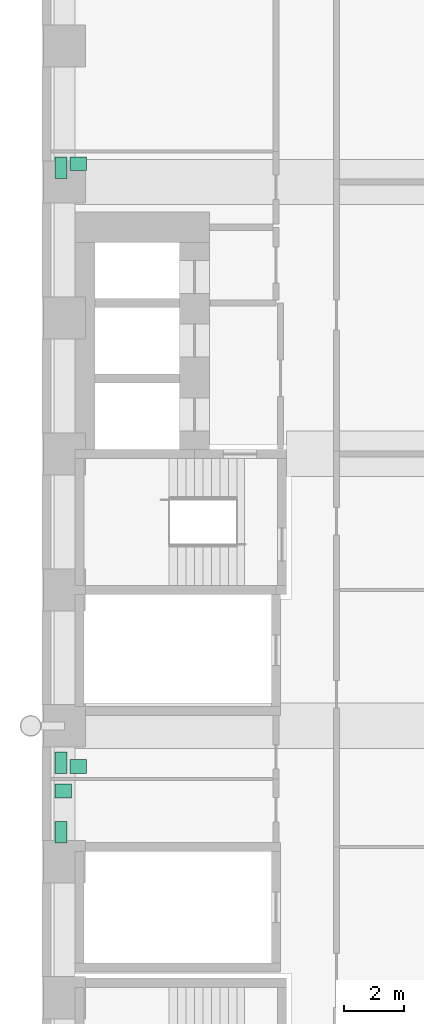
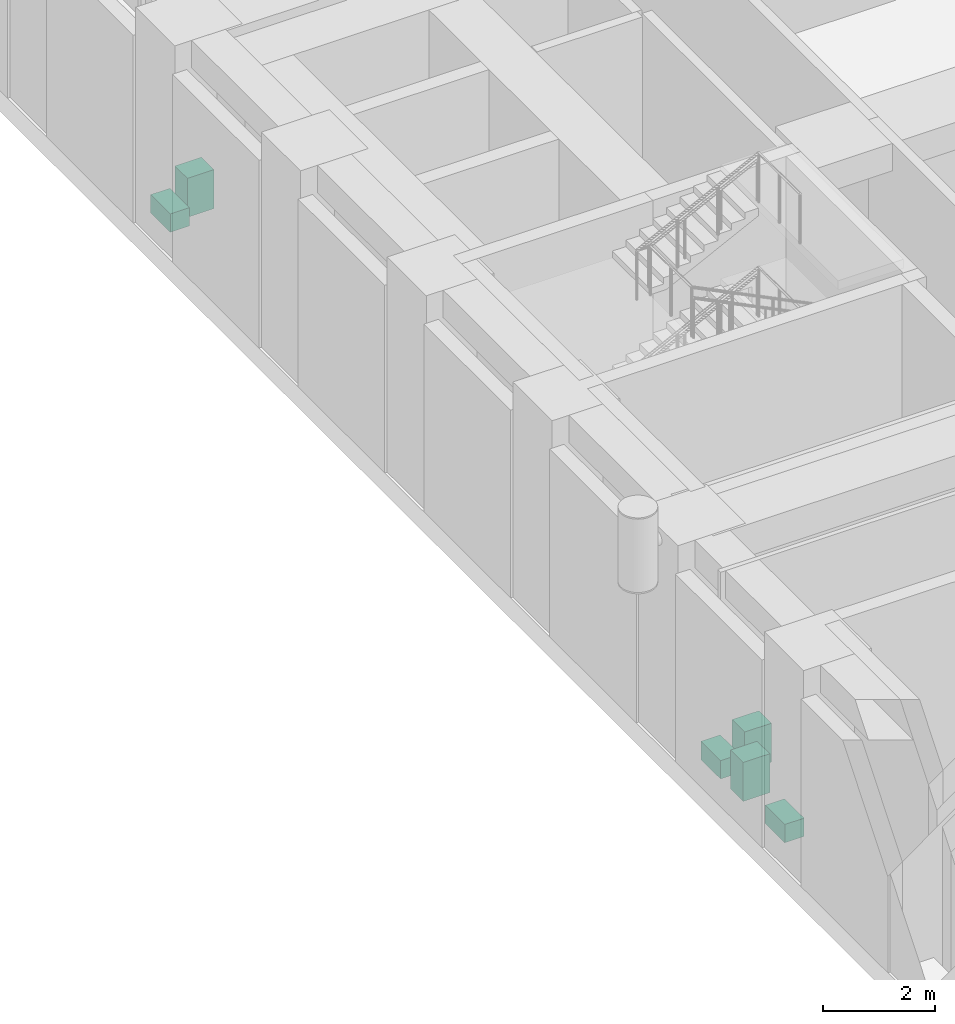
# One storey, part 35 of 35: 6 sanitary terminals.
"""IFC4 building model written with IfcOpenShell, lengths in metres."""

from ifc_helpers import new_model, si_unit, direction, frame, origin, origin_2d, place, context, subcontext, project, spatial, rectangle, extrude, material, type_object, element, save


model = new_model("IFC4")

# Units and contexts
model_context = context("Model", 3, precision=1e-05, world=origin(), true_north=direction((0.0, 1.0)))
body_context = subcontext(model_context, "Body", "Model", "MODEL_VIEW")
ifc_project = project(units=[si_unit("LENGTHUNIT", "METRE"), si_unit("AREAUNIT", "SQUARE_METRE"), si_unit("VOLUMEUNIT", "CUBIC_METRE"), si_unit("PLANEANGLEUNIT", "RADIAN"), si_unit("MASSUNIT", "GRAM", prefix="KILO")], contexts=[model_context])

# Site, building, storey
site_placement = place(None, origin())
site = spatial("IfcSite", under=ifc_project, at=site_placement, CompositionType="ELEMENT")
building_placement = place(site_placement, origin())
building = spatial("IfcBuilding", under=site, at=building_placement, Name="Firuza Court", CompositionType="ELEMENT")
storey_placement = place(building_placement, frame((0.0, 0.0, 24.0)))
storey = spatial("IfcBuildingStorey", under=building, at=storey_placement, Name="L04", CompositionType="ELEMENT", Elevation=24.0)

# Sanitary terminals
ifc_material_1 = material(Name="Vitreous china", Category="ceramic")
sanitary_terminal_type_1 = type_object("IfcSanitaryTerminalType", Name="Fixture WC pan", PredefinedType="TOILETPAN", material=ifc_material_1)
for number, where, z_axis, x_axis, name in (
    (1, (-0.1201171875, 14.47998046875, 0.0), (0.0, 0.0, 1.0), (1.0, 0.0, 0.0), "WC pan"),
    (2, (-0.1201171875, 16.780029296875, 0.0), (0.0, 0.0, 1.0), (1.0, 0.0, 0.0), "WC pan"),
    (3, (-0.1201171875, 36.469970703125, 0.0), (0.0, 0.0, 1.0), (1.0, 0.0, 0.0), "WC pan"),
):
    element("IfcSanitaryTerminal", number, at=place(storey_placement, frame(where, z_axis=z_axis, x_axis=x_axis)), inside=storey, type_object=sanitary_terminal_type_1, Name=name, PredefinedType="TOILETPAN", context=body_context, shape_type="SweptSolid", body=[
        extrude(rectangle(XDim=0.39990234375, YDim=0.699951171875, at=origin_2d()), origin(), (0.0, 0.0, 1.0), 0.39990234375),
    ])
ifc_material_2 = material(Name="Vitreous china", Category="ceramic")
sanitary_terminal_type_2 = type_object("IfcSanitaryTerminalType", Name="Fixture Washbasin", PredefinedType="WASHHANDBASIN", material=ifc_material_2)
for number, where, z_axis, x_axis, name in (
    (4, (-0.044921875, 15.844970703125, 0.0), (0.0, 0.0, 1.0), (1.0, 0.0, 0.0), "Washbasin"),
    (5, (0.455078125, 16.655029296875, 0.0), (0.0, 0.0, 1.0), (1.0, 0.0, 0.0), "Washbasin"),
    (6, (0.455078125, 36.594970703125, 0.0), (0.0, 0.0, 1.0), (1.0, 0.0, 0.0), "Washbasin"),
):
    element("IfcSanitaryTerminal", number, at=place(storey_placement, frame(where, z_axis=z_axis, x_axis=x_axis)), inside=storey, type_object=sanitary_terminal_type_2, Name=name, PredefinedType="WASHHANDBASIN", context=body_context, shape_type="SweptSolid", body=[
        extrude(rectangle(XDim=0.550048828125, YDim=0.449951171875, at=origin_2d()), origin(), (0.0, 0.0, 1.0), 0.85009765625),
    ])

save(model, "model.ifc")
